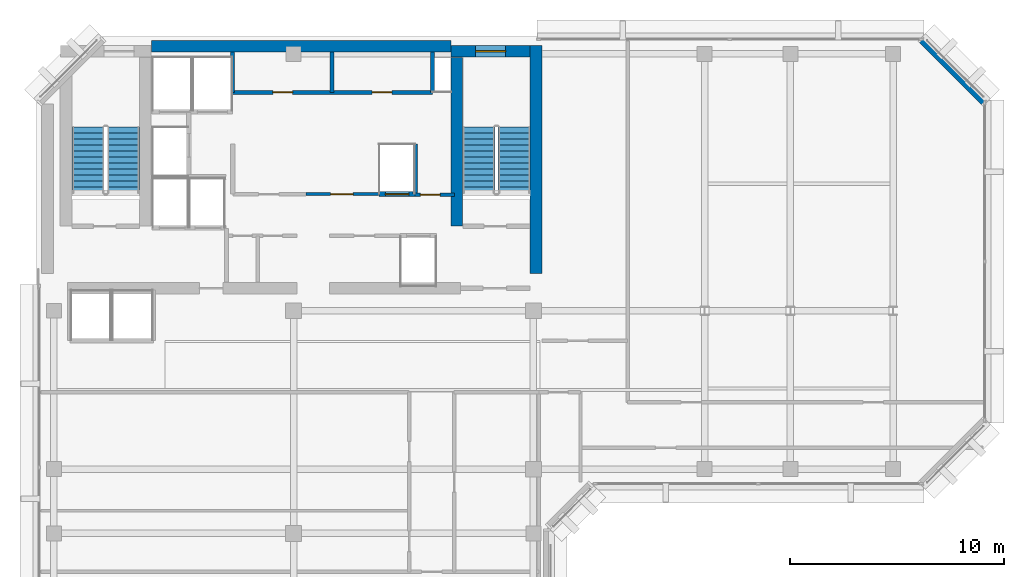
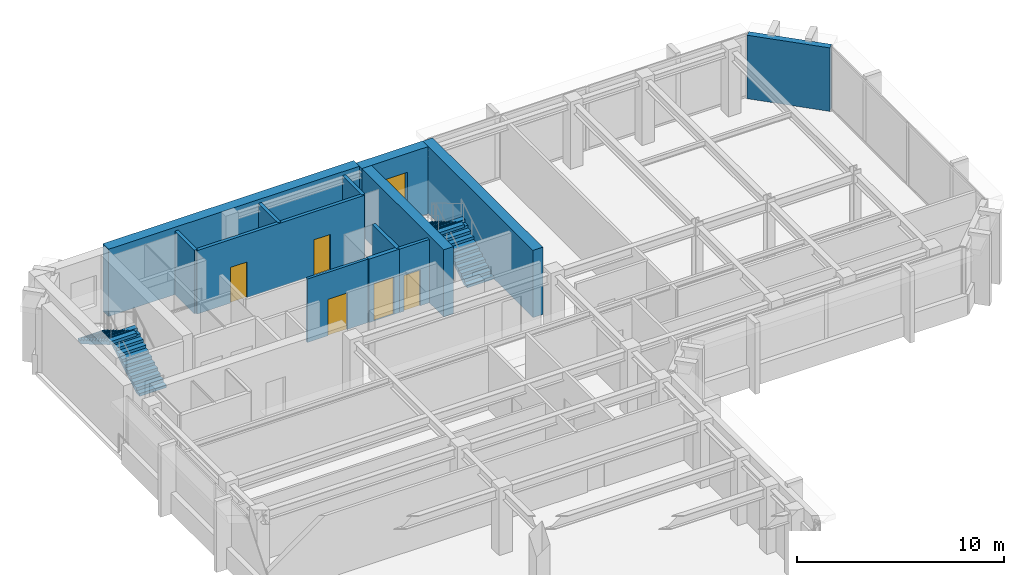
# One storey, part 8 of 11: 13 walls, 5 doors, 4 stair flights, 1 window, 6 openings, 2 elements without a shape of their own.
"""IFC4 building model written with IfcOpenShell, lengths in metres."""

from ifc_helpers import new_model, si_unit, direction, frame, frame_2d, origin, place, context, subcontext, project, spatial, polyline, rectangle, outline, extrude, material, layer, layer_set, type_object, element, fill, aggregate, save


model = new_model("IFC4")

# Units and contexts
model_context = context("Model", 3, precision=1e-05, world=origin(), true_north=direction((0.0, 1.0)))
body_context = subcontext(model_context, "Body", "Model", "MODEL_VIEW")
ifc_project = project(units=[si_unit("LENGTHUNIT", "METRE"), si_unit("AREAUNIT", "SQUARE_METRE"), si_unit("VOLUMEUNIT", "CUBIC_METRE"), si_unit("PLANEANGLEUNIT", "RADIAN"), si_unit("MASSUNIT", "GRAM", prefix="KILO")], contexts=[model_context])

# Site, building, storey
site_placement = place(None, origin())
site = spatial("IfcSite", under=ifc_project, at=site_placement, CompositionType="ELEMENT")
building_placement = place(site_placement, origin())
building = spatial("IfcBuilding", under=site, at=building_placement, Name="Kefirva Bronze Tower", CompositionType="ELEMENT")
storey_placement = place(building_placement, frame((0.0, 0.0, 323.72998046875)))
storey = spatial("IfcBuildingStorey", under=building, at=storey_placement, Name="L79", CompositionType="ELEMENT", Elevation=323.72998046875)

# Wall, opening, door
ifc_material_1 = material(Name="Gypsum acoustic partition")
ifc_layer_1 = layer(ifc_material_1, 0.14990234375, Name="Gypsum acoustic partition")
ifc_layer_set_1 = layer_set([ifc_layer_1], Name="Gypsum acoustic partition")
wall_type_1 = type_object("IfcWallType", Name="Executive Suite Partition 150mm", PredefinedType="PARTITIONING", material=ifc_layer_set_1)
wall_1_placement = place(storey_placement, frame((12.580078125, 38.64990234375, 0.0), z_axis=(0.0, 0.0, 1.0), x_axis=(1.0, 0.0, 0.0)))
wall_1 = element("IfcWall", 1, at=wall_1_placement, inside=storey, type_object=wall_type_1, Name="L79 Partition W-L79-RECMP2", PredefinedType="PARTITIONING", context=body_context, shape_type="SweptSolid", body=[
    extrude(rectangle(XDim=3.3798828125, YDim=0.14990234375, at=frame_2d((1.68994140625, 0.0))), origin(), (0.0, 0.0, 1.0), 3.739990234375),
])
opening_1_placement = place(wall_1_placement, frame((2.199951171875, 0.0, 0.0), z_axis=(0.0, 0.0, 1.0), x_axis=(-1.0, 0.0, 0.0)))
opening_1 = element("IfcOpeningElement", 2, at=opening_1_placement, cuts=wall_1, Name="Opening L79-D-RECMP2", PredefinedType="OPENING", context=body_context, shape_type="SweptSolid", body=[
    extrude(rectangle(XDim=1.050048828125, YDim=2.14990234375, at=frame_2d((0.52490234375, 1.074951171875))), frame((0.0, 0.0849609375, 0.0), z_axis=(0.0, -1.0, 0.0), x_axis=(1.0, 0.0, 0.0)), (0.0, 0.0, 1.0), 0.169921875),
])
ifc_material_2 = material(Name="Acoustic hardwood oak", Category="wood")
door_type_1 = type_object("IfcDoorType", Name="Executive & Boardroom Door 1050x2150", OperationType="NOTDEFINED", PredefinedType="DOOR", material=ifc_material_2)
door_1_placement = place(opening_1_placement, origin())
door_1 = element("IfcDoor", 3, at=door_1_placement, inside=storey, type_object=door_type_1, Name="Door L79-D-RECMP2", OperationType="SINGLE_SWING_RIGHT", OverallHeight=2.14990234375, OverallWidth=1.050048828125, PredefinedType="DOOR", context=body_context, shape_type="SweptSolid", body=[
    extrude(rectangle(XDim=1.050048828125, YDim=2.14990234375, at=frame_2d((0.52490234375, 1.074951171875))), frame((0.0, 0.02490234375, 0.0), z_axis=(0.0, -1.0, 0.0), x_axis=(1.0, 0.0, 0.0)), (0.0, 0.0, 1.0), 0.050048828125),
])
fill(opening_1, door_1)

# Wall
ifc_material_3 = material(Name="Gypsum fireboard shaftwall")
ifc_layer_2 = layer(ifc_material_3, 0.219970703125, Name="Gypsum fireboard shaftwall")
ifc_layer_set_2 = layer_set([ifc_layer_2], Name="Gypsum fireboard shaftwall")
wall_type_2 = type_object("IfcWallType", Name="Fire-Rated Shaft Enclosure Wall 220mm", PredefinedType="PARTITIONING", material=ifc_layer_set_2)
wall_2_placement = place(storey_placement, frame((17.679931640625, 38.64990234375, 0.0), z_axis=(0.0, 0.0, 1.0), x_axis=(0.0, 1.0, 0.0)))
element("IfcWall", 4, at=wall_2_placement, inside=storey, type_object=wall_type_2, Name="L79 Partition W-L79-HP2E", PredefinedType="PARTITIONING", context=body_context, shape_type="SweptSolid", body=[
    extrude(rectangle(XDim=2.35009765625, YDim=0.199951171875, at=frame_2d((1.175048828125, 0.0))), origin(), (0.0, 0.0, 1.0), 3.739990234375),
])

# Wall, opening, door
wall_3_placement = place(storey_placement, frame((15.97998046875, 38.64990234375, 0.0), z_axis=(0.0, 0.0, 1.0), x_axis=(1.0, 0.0, 0.0)))
wall_3 = element("IfcWall", 5, at=wall_3_placement, inside=storey, type_object=wall_type_2, Name="L79 Partition W-L79-HPN", PredefinedType="PARTITIONING", context=body_context, shape_type="SweptSolid", body=[
    extrude(rectangle(XDim=1.719970703125, YDim=0.219970703125, at=frame_2d((0.85986328125, 0.0))), origin(), (0.0, 0.0, 1.0), 3.739990234375),
])
opening_2_placement = place(wall_3_placement, frame((0.300048828125, 0.0, 0.0)))
opening_2 = element("IfcOpeningElement", 6, at=opening_2_placement, cuts=wall_3, Name="Opening L79-LD-HP2", PredefinedType="OPENING", context=body_context, shape_type="SweptSolid", body=[
    extrude(rectangle(XDim=1.10009765625, YDim=2.199951171875, at=frame_2d((0.550048828125, 1.10009765625))), frame((0.0, 0.1201171875, 0.0), z_axis=(0.0, -1.0, 0.0), x_axis=(1.0, 0.0, 0.0)), (0.0, 0.0, 1.0), 0.239990234375),
])
ifc_material_4 = material(Name="Stainless steel 316", Category="steel")
door_type_2 = type_object("IfcDoorType", Name="Passenger Lift Sliding Landing Door 1100x2200", OperationType="SLIDING_TO_LEFT", PredefinedType="DOOR", material=ifc_material_4)
door_2_placement = place(opening_2_placement, origin())
door_2 = element("IfcDoor", 7, at=door_2_placement, inside=storey, type_object=door_type_2, Name="Door L79-LD-HP2", OperationType="SLIDING_TO_LEFT", OverallHeight=2.199951171875, OverallWidth=1.10009765625, PredefinedType="DOOR", context=body_context, shape_type="SweptSolid", body=[
    extrude(rectangle(XDim=1.10009765625, YDim=2.199951171875, at=frame_2d((0.550048828125, 1.10009765625))), frame((0.0, 0.02490234375, 0.0), z_axis=(0.0, -1.0, 0.0), x_axis=(1.0, 0.0, 0.0)), (0.0, 0.0, 1.0), 0.050048828125),
])
fill(opening_2, door_2)

ifc_material_5 = material(Name="Gypsum fireboard barrier")
ifc_layer_3 = layer(ifc_material_5, 0.199951171875, Name="Gypsum fireboard barrier")
ifc_layer_set_3 = layer_set([ifc_layer_3], Name="Gypsum fireboard barrier")
wall_type_3 = type_object("IfcWallType", Name="Firefighting Lobby Barrier Wall 200mm", PredefinedType="PARTITIONING", material=ifc_layer_set_3)
wall_4_placement = place(storey_placement, frame((17.679931640625, 38.6201171875, 0.0), z_axis=(0.0, 0.0, 1.0), x_axis=(1.0, 0.0, 0.0)))
wall_4 = element("IfcWall", 8, at=wall_4_placement, inside=storey, type_object=wall_type_3, Name="L79 Partition W-L79-CPASS", PredefinedType="PARTITIONING", context=body_context, shape_type="SweptSolid", body=[
    extrude(rectangle(XDim=1.840087890625, YDim=0.179931640625, at=frame_2d((0.919921875, 0.0))), origin(), (0.0, 0.0, 1.0), 3.739990234375),
])
opening_3_placement = place(wall_4_placement, frame((0.239990234375, 0.0, 0.0)))
opening_3 = element("IfcOpeningElement", 9, at=opening_3_placement, cuts=wall_4, Name="Opening L79-D-CPAS", PredefinedType="OPENING", context=body_context, shape_type="SweptSolid", body=[
    extrude(rectangle(XDim=0.919921875, YDim=2.10009765625, at=frame_2d((0.4599609375, 1.050048828125))), frame((0.0, 0.10009765625, 0.0), z_axis=(0.0, -1.0, 0.0), x_axis=(1.0, 0.0, 0.0)), (0.0, 0.0, 1.0), 0.199951171875),
])
ifc_material_6 = material(Name="Moisture-resistant timber", Category="wood")
door_type_3 = type_object("IfcDoorType", Name="Accessible Sanitary & WC Door 920x2100", OperationType="NOTDEFINED", PredefinedType="DOOR", material=ifc_material_6)
door_3_placement = place(opening_3_placement, origin())
door_3 = element("IfcDoor", 10, at=door_3_placement, inside=storey, type_object=door_type_3, Name="Door L79-D-CPAS", OperationType="SINGLE_SWING_LEFT", OverallHeight=2.10009765625, OverallWidth=0.919921875, PredefinedType="DOOR", context=body_context, shape_type="SweptSolid", body=[
    extrude(rectangle(XDim=0.919921875, YDim=2.10009765625, at=frame_2d((0.4599609375, 1.050048828125))), frame((0.0, 0.02490234375, 0.0), z_axis=(0.0, -1.0, 0.0), x_axis=(1.0, 0.0, 0.0)), (0.0, 0.0, 1.0), 0.050048828125),
])
fill(opening_3, door_3)

# Walls
ifc_material_7 = material(Name="Precast concrete C40/50", Category="concrete")
ifc_layer_4 = layer(ifc_material_7, 0.320068359375, Name="Precast concrete C40/50")
ifc_layer_set_4 = layer_set([ifc_layer_4], Name="Precast concrete C40/50")
wall_type_4 = type_object("IfcWallType", Name="Precast Insulated Exterior Wall 320mm", PredefinedType="SOLIDWALL", material=ifc_layer_set_4)
wall_5_placement = place(storey_placement, frame((44.248046875, 42.92578125, 0.0), z_axis=(0.0, 0.0, 1.0), x_axis=(-0.707136318428, 0.707077242712, 0.0)))
element("IfcWall", 11, at=wall_5_placement, inside=storey, type_object=wall_type_4, Name="L79 Exterior Facade Wall 5", PredefinedType="SOLIDWALL", context=body_context, shape_type="SweptSolid", body=[
    extrude(rectangle(XDim=4.132568359375, YDim=0.320068359375, at=frame_2d((2.06640625, 0.0))), origin(), (0.0, 0.0, 1.0), 3.739990234375),
])
ifc_material_8 = material(Name="Concrete C50/60", Category="concrete")
ifc_layer_5 = layer(ifc_material_8, 0.550048828125, Name="Concrete C50/60")
ifc_layer_set_5 = layer_set([ifc_layer_5], Name="Concrete C50/60")
wall_type_5 = type_object("IfcWallType", Name="RC Rear Core Exterior Wall 550mm", PredefinedType="SHEAR", material=ifc_layer_set_5)
wall_6_placement = place(storey_placement, frame((5.360107421875, 45.550048828125, 0.0), z_axis=(0.0, 0.0, 1.0), x_axis=(1.0, 0.0, 0.0)))
element("IfcWall", 12, at=wall_6_placement, inside=storey, type_object=wall_type_5, Name="L79 Rear Core North Shear Wall", PredefinedType="SHEAR", context=body_context, shape_type="SweptSolid", body=[
    extrude(rectangle(XDim=13.97998046875, YDim=0.550048828125, at=frame_2d((6.989990234375, 0.0))), origin(), (0.0, 0.0, 1.0), 3.9599609375),
])

# Wall, opening, window
wall_7_placement = place(storey_placement, frame((19.35009765625, 45.320068359375, 0.0), z_axis=(0.0, 0.0, 1.0), x_axis=(1.0, 0.0, 0.0)))
wall_7 = element("IfcWall", 13, at=wall_7_placement, inside=storey, type_object=wall_type_5, Name="L79 Stair 2 North Shear Wall", PredefinedType="SHEAR", context=body_context, shape_type="SweptSolid", body=[
    extrude(rectangle(XDim=3.68994140625, YDim=0.550048828125, at=frame_2d((1.844970703125, 0.0))), origin(), (0.0, 0.0, 1.0), 3.9599609375),
])
opening_4_placement = place(wall_7_placement, frame((1.14990234375, 0.0, 1.050048828125)))
opening_4 = element("IfcOpeningElement", 14, at=opening_4_placement, cuts=wall_7, Name="Opening WN-03", PredefinedType="OPENING", context=body_context, shape_type="SweptSolid", body=[
    extrude(rectangle(XDim=1.39990234375, YDim=1.800048828125, at=frame_2d((0.699951171875, 0.89990234375))), frame((0.0, 0.28515625, 0.0), z_axis=(0.0, -1.0, 0.0), x_axis=(1.0, 0.0, 0.0)), (0.0, 0.0, 1.0), 0.570068359375),
])
ifc_material_9 = material(Name="Laminated low-E double glazing", Category="glass")
window_type = type_object("IfcWindowType", Name="Rear-Core Stair Daylight Window 1400x1800", PartitioningType="SINGLE_PANEL", PredefinedType="WINDOW", material=ifc_material_9)
window_placement = place(opening_4_placement, origin())
window = element("IfcWindow", 15, at=window_placement, inside=storey, type_object=window_type, Name="L79 Stair 2 Daylight Window", OverallHeight=1.800048828125, OverallWidth=1.39990234375, PartitioningType="SINGLE_PANEL", PredefinedType="WINDOW", context=body_context, shape_type="SweptSolid", body=[
    extrude(rectangle(XDim=1.39990234375, YDim=1.800048828125, at=frame_2d((0.699951171875, 0.89990234375))), frame((0.0, 0.030029296875, 0.0), z_axis=(0.0, -1.0, 0.0), x_axis=(1.0, 0.0, 0.0)), (0.0, 0.0, 1.0), 0.06005859375),
])
fill(opening_4, window)

# Walls
ifc_layer_6 = layer(ifc_material_8, 0.550048828125, Name="Concrete C50/60")
ifc_layer_set_6 = layer_set([ifc_layer_6], Name="Concrete C50/60")
wall_type_6 = type_object("IfcWallType", Name="RC Rear Core Interior Wall 550mm", PredefinedType="SHEAR", material=ifc_layer_set_6)
wall_8_placement = place(storey_placement, frame((23.324951171875, 34.949951171875, 0.0), z_axis=(0.0, 0.0, 1.0), x_axis=(0.0, 1.0, 0.0)))
element("IfcWall", 16, at=wall_8_placement, inside=storey, type_object=wall_type_6, Name="L79 Rear Core East Shear Wall", PredefinedType="SHEAR", context=body_context, shape_type="SweptSolid", body=[
    extrude(rectangle(XDim=10.64013671875, YDim=0.550048828125, at=frame_2d((5.320068359375, 0.0))), origin(), (0.0, 0.0, 1.0), 3.9599609375),
])
wall_9_placement = place(storey_placement, frame((19.6201171875, 37.14990234375, 0.0), z_axis=(0.0, 0.0, 1.0), x_axis=(0.0, 1.0, 0.0)))
element("IfcWall", 17, at=wall_9_placement, inside=storey, type_object=wall_type_6, Name="L79 Stair 2 West Shear Wall", PredefinedType="SHEAR", context=body_context, shape_type="SweptSolid", body=[
    extrude(rectangle(XDim=7.89013671875, YDim=0.550048828125, at=frame_2d((3.945068359375, 0.0))), origin(), (0.0, 0.0, 1.0), 3.9599609375),
])

# Wall, openings, doors
ifc_material_10 = material(Name="Moisture-resistant partition")
ifc_layer_7 = layer(ifc_material_10, 0.179931640625, Name="Moisture-resistant partition")
ifc_layer_set_7 = layer_set([ifc_layer_7], Name="Moisture-resistant partition")
wall_type_7 = type_object("IfcWallType", Name="Sanitary Plumbing Chase Wall 180mm", PredefinedType="PLUMBINGWALL", material=ifc_layer_set_7)
wall_10_placement = place(storey_placement, frame((9.14990234375, 43.39990234375, 0.0), z_axis=(0.0, 0.0, 1.0), x_axis=(1.0, 0.0, 0.0)))
wall_10 = element("IfcWall", 18, at=wall_10_placement, inside=storey, type_object=wall_type_7, Name="L79 Partition W-L79-SVCS", PredefinedType="PLUMBINGWALL", context=body_context, shape_type="SweptSolid", body=[
    extrude(rectangle(XDim=9.330078125, YDim=0.179931640625, at=frame_2d((4.6650390625, 0.0))), origin(), (0.0, 0.0, 1.0), 3.739990234375),
])
opening_5_placement = place(wall_10_placement, frame((1.8798828125, 0.0, 0.0)))
opening_5 = element("IfcOpeningElement", 19, at=opening_5_placement, cuts=wall_10, Name="Opening L79-D-CSVC1", PredefinedType="OPENING", context=body_context, shape_type="SweptSolid", body=[
    extrude(rectangle(XDim=0.919921875, YDim=2.10009765625, at=frame_2d((0.4599609375, 1.050048828125))), frame((0.0, 0.10009765625, 0.0), z_axis=(0.0, -1.0, 0.0), x_axis=(1.0, 0.0, 0.0)), (0.0, 0.0, 1.0), 0.199951171875),
])
opening_6_placement = place(wall_10_placement, frame((6.514892578125, 0.0, 0.0)))
opening_6 = element("IfcOpeningElement", 20, at=opening_6_placement, cuts=wall_10, Name="Opening L79-D-CSVC2", PredefinedType="OPENING", context=body_context, shape_type="SweptSolid", body=[
    extrude(rectangle(XDim=0.919921875, YDim=2.10009765625, at=frame_2d((0.4599609375, 1.050048828125))), frame((0.0, 0.10009765625, 0.0), z_axis=(0.0, -1.0, 0.0), x_axis=(1.0, 0.0, 0.0)), (0.0, 0.0, 1.0), 0.199951171875),
])
door_4_placement = place(opening_5_placement, origin())
door_4 = element("IfcDoor", 21, at=door_4_placement, inside=storey, type_object=door_type_3, Name="Door L79-D-CSVC1", OperationType="SINGLE_SWING_LEFT", OverallHeight=2.10009765625, OverallWidth=0.919921875, PredefinedType="DOOR", context=body_context, shape_type="SweptSolid", body=[
    extrude(rectangle(XDim=0.919921875, YDim=2.10009765625, at=frame_2d((0.4599609375, 1.050048828125))), frame((0.0, 0.02490234375, 0.0), z_axis=(0.0, -1.0, 0.0), x_axis=(1.0, 0.0, 0.0)), (0.0, 0.0, 1.0), 0.050048828125),
])
fill(opening_5, door_4)
door_5_placement = place(opening_6_placement, origin())
door_5 = element("IfcDoor", 22, at=door_5_placement, inside=storey, type_object=door_type_3, Name="Door L79-D-CSVC2", OperationType="SINGLE_SWING_RIGHT", OverallHeight=2.10009765625, OverallWidth=0.919921875, PredefinedType="DOOR", context=body_context, shape_type="SweptSolid", body=[
    extrude(rectangle(XDim=0.919921875, YDim=2.10009765625, at=frame_2d((0.4599609375, 1.050048828125))), frame((0.0, 0.02490234375, 0.0), z_axis=(0.0, -1.0, 0.0), x_axis=(1.0, 0.0, 0.0)), (0.0, 0.0, 1.0), 0.050048828125),
])
fill(opening_6, door_5)

# Walls
for number, where, z_axis, x_axis, name in (
    (23, (9.14990234375, 43.39990234375, 0.0), (0.0, 0.0, 1.0), (0.0, 1.0, 0.0), "L79 Partition W-L79-SVCW"),
    (24, (18.47998046875, 43.39990234375, 0.0), (0.0, 0.0, 1.0), (0.0, 1.0, 0.0), "L79 Partition W-L79-SVCE"),
    (25, (13.800048828125, 43.39990234375, 0.0), (0.0, 0.0, 1.0), (0.0, 1.0, 0.0), "L79 Partition W-L79-CSVD-1"),
):
    element("IfcWall", number, at=place(storey_placement, frame(where, z_axis=z_axis, x_axis=x_axis)), inside=storey, type_object=wall_type_7, Name=name, PredefinedType="PLUMBINGWALL", context=body_context, shape_type="SweptSolid", body=[
        extrude(rectangle(XDim=1.880126953125, YDim=0.179931640625, at=frame_2d((0.93994140625, 0.0))), origin(), (0.0, 0.0, 1.0), 3.739990234375),
    ])

# Stair, stair flights
ifc_material_11 = material(Name="Concrete C40/50", Category="concrete")
stair_type = type_object("IfcStairType", Name="RC Dogleg Protected Stair 24R", PredefinedType="HALF_TURN_STAIR", material=ifc_material_11)
stair_1_placement = place(storey_placement, origin())
stair_1 = element("IfcStair", 26, at=stair_1_placement, inside=storey, type_object=stair_type, Name="L79 Protected Exit Stair 1", PredefinedType="HALF_TURN_STAIR")
stair_flight_type = type_object("IfcStairFlightType", Name="RC Straight Stair Flight 24R", PredefinedType="STRAIGHT", material=ifc_material_11)
stair_flight_1_placement = place(storey_placement, frame((4.050048828125, 38.699951171875, 0.0), z_axis=(0.0, 0.0, 1.0), x_axis=(0.0, 1.0, 0.0)))
stair_flight_1 = element("IfcStairFlight", 27, at=stair_flight_1_placement, type_object=stair_flight_type, Name="ST-1 flight 1", NumberOfRisers=12, NumberOfTreads=11, PredefinedType="STRAIGHT", RiserHeight=0.165, TreadLength=0.28, context=body_context, shape_type="SweptSolid", body=[
    extrude(outline(polyline([(0.0, 0.0), (0.0, 0.1650390625), (0.280029296875, 0.1650390625), (0.280029296875, 0.330078125), (0.56005859375, 0.330078125), (0.56005859375, 0.4951171875), (0.840087890625, 0.4951171875), (0.840087890625, 0.659912109375), (1.1201171875, 0.659912109375), (1.1201171875, 0.824951171875), (1.39990234375, 0.824951171875), (1.39990234375, 0.989990234375), (1.679931640625, 0.989990234375), (1.679931640625, 1.155029296875), (1.9599609375, 1.155029296875), (1.9599609375, 1.320068359375), (2.239990234375, 1.320068359375), (2.239990234375, 1.485107421875), (2.52001953125, 1.485107421875), (2.52001953125, 1.64990234375), (2.800048828125, 1.64990234375), (2.800048828125, 1.81494140625), (3.080078125, 1.81494140625), (3.080078125, 1.97998046875), (3.080078125, 1.64111328125), (0.295166015625, 0.0), (0.0, 0.0)])), frame((0.0, 0.75, 0.0), z_axis=(0.0, -1.0, 0.0), x_axis=(1.0, 0.0, 0.0)), (0.0, 0.0, 1.0), 1.5),
])
stair_flight_2_placement = place(storey_placement, frame((2.39990234375, 41.780029296875, 1.97998046875), z_axis=(0.0, 0.0, 1.0), x_axis=(0.0, -1.0, 0.0)))
stair_flight_2 = element("IfcStairFlight", 28, at=stair_flight_2_placement, type_object=stair_flight_type, Name="ST-1 flight 2", NumberOfRisers=12, NumberOfTreads=11, PredefinedType="STRAIGHT", RiserHeight=0.165, TreadLength=0.28, context=body_context, shape_type="SweptSolid", body=[
    extrude(outline(polyline([(0.0, 0.0), (0.0, 0.1650390625), (0.280029296875, 0.1650390625), (0.280029296875, 0.330078125), (0.56005859375, 0.330078125), (0.56005859375, 0.4951171875), (0.840087890625, 0.4951171875), (0.840087890625, 0.659912109375), (1.1201171875, 0.659912109375), (1.1201171875, 0.824951171875), (1.39990234375, 0.824951171875), (1.39990234375, 0.989990234375), (1.679931640625, 0.989990234375), (1.679931640625, 1.155029296875), (1.9599609375, 1.155029296875), (1.9599609375, 1.320068359375), (2.239990234375, 1.320068359375), (2.239990234375, 1.485107421875), (2.52001953125, 1.485107421875), (2.52001953125, 1.64990234375), (2.800048828125, 1.64990234375), (2.800048828125, 1.81494140625), (3.080078125, 1.81494140625), (3.080078125, 1.97998046875), (3.080078125, 1.64111328125), (0.295166015625, 0.0), (0.0, 0.0)])), frame((0.0, 0.75, 0.0), z_axis=(0.0, -1.0, 0.0), x_axis=(1.0, 0.0, 0.0)), (0.0, 0.0, 1.0), 1.5),
])
aggregate(stair_1, [stair_flight_1, stair_flight_2])

stair_2_placement = place(storey_placement, origin())
stair_2 = element("IfcStair", 29, at=stair_2_placement, inside=storey, type_object=stair_type, Name="L79 Protected Exit Stair 2", PredefinedType="HALF_TURN_STAIR")
stair_flight_3_placement = place(storey_placement, frame((22.300048828125, 38.699951171875, 0.0), z_axis=(0.0, 0.0, 1.0), x_axis=(0.0, 1.0, 0.0)))
stair_flight_3 = element("IfcStairFlight", 30, at=stair_flight_3_placement, type_object=stair_flight_type, Name="ST-2 flight 1", NumberOfRisers=12, NumberOfTreads=11, PredefinedType="STRAIGHT", RiserHeight=0.165, TreadLength=0.28, context=body_context, shape_type="SweptSolid", body=[
    extrude(outline(polyline([(0.0, 0.0), (0.0, 0.1650390625), (0.280029296875, 0.1650390625), (0.280029296875, 0.330078125), (0.56005859375, 0.330078125), (0.56005859375, 0.4951171875), (0.840087890625, 0.4951171875), (0.840087890625, 0.659912109375), (1.1201171875, 0.659912109375), (1.1201171875, 0.824951171875), (1.39990234375, 0.824951171875), (1.39990234375, 0.989990234375), (1.679931640625, 0.989990234375), (1.679931640625, 1.155029296875), (1.9599609375, 1.155029296875), (1.9599609375, 1.320068359375), (2.239990234375, 1.320068359375), (2.239990234375, 1.485107421875), (2.52001953125, 1.485107421875), (2.52001953125, 1.64990234375), (2.800048828125, 1.64990234375), (2.800048828125, 1.81494140625), (3.080078125, 1.81494140625), (3.080078125, 1.97998046875), (3.080078125, 1.64111328125), (0.295166015625, 0.0), (0.0, 0.0)])), frame((0.0, 0.75, 0.0), z_axis=(0.0, -1.0, 0.0), x_axis=(1.0, 0.0, 0.0)), (0.0, 0.0, 1.0), 1.5),
])
stair_flight_4_placement = place(storey_placement, frame((20.64990234375, 41.780029296875, 1.97998046875), z_axis=(0.0, 0.0, 1.0), x_axis=(0.0, -1.0, 0.0)))
stair_flight_4 = element("IfcStairFlight", 31, at=stair_flight_4_placement, type_object=stair_flight_type, Name="ST-2 flight 2", NumberOfRisers=12, NumberOfTreads=11, PredefinedType="STRAIGHT", RiserHeight=0.165, TreadLength=0.28, context=body_context, shape_type="SweptSolid", body=[
    extrude(outline(polyline([(0.0, 0.0), (0.0, 0.1650390625), (0.280029296875, 0.1650390625), (0.280029296875, 0.330078125), (0.56005859375, 0.330078125), (0.56005859375, 0.4951171875), (0.840087890625, 0.4951171875), (0.840087890625, 0.659912109375), (1.1201171875, 0.659912109375), (1.1201171875, 0.824951171875), (1.39990234375, 0.824951171875), (1.39990234375, 0.989990234375), (1.679931640625, 0.989990234375), (1.679931640625, 1.155029296875), (1.9599609375, 1.155029296875), (1.9599609375, 1.320068359375), (2.239990234375, 1.320068359375), (2.239990234375, 1.485107421875), (2.52001953125, 1.485107421875), (2.52001953125, 1.64990234375), (2.800048828125, 1.64990234375), (2.800048828125, 1.81494140625), (3.080078125, 1.81494140625), (3.080078125, 1.97998046875), (3.080078125, 1.64111328125), (0.295166015625, 0.0), (0.0, 0.0)])), frame((0.0, 0.75, 0.0), z_axis=(0.0, -1.0, 0.0), x_axis=(1.0, 0.0, 0.0)), (0.0, 0.0, 1.0), 1.5),
])
aggregate(stair_2, [stair_flight_3, stair_flight_4])

save(model, "model.ifc")
